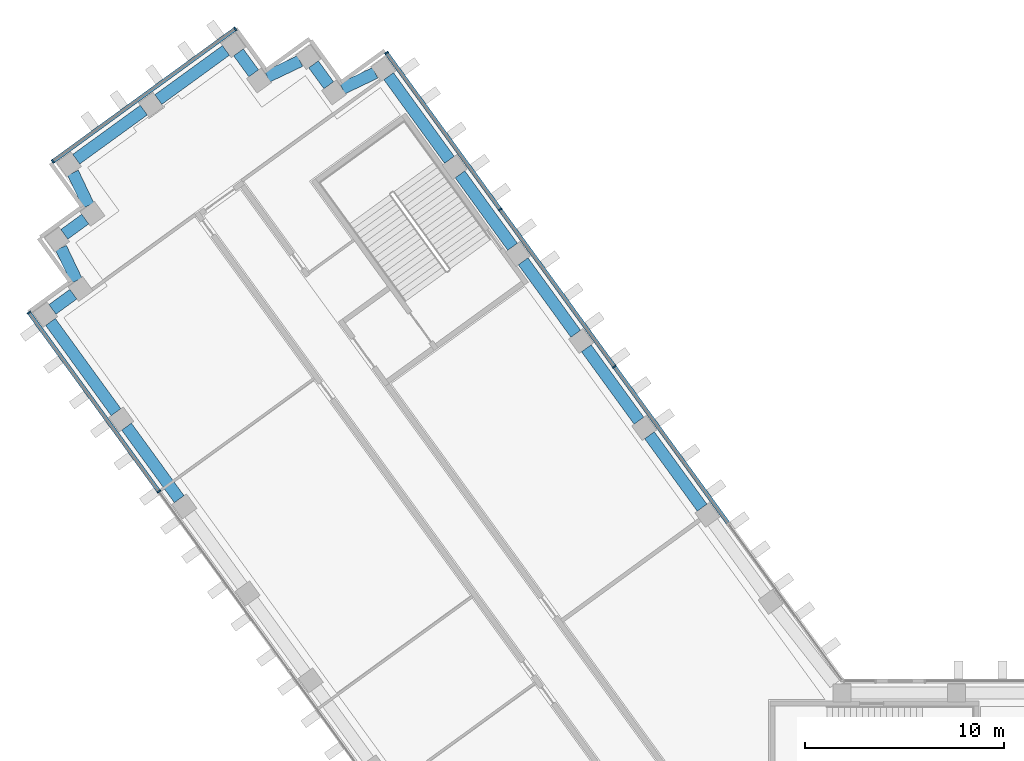
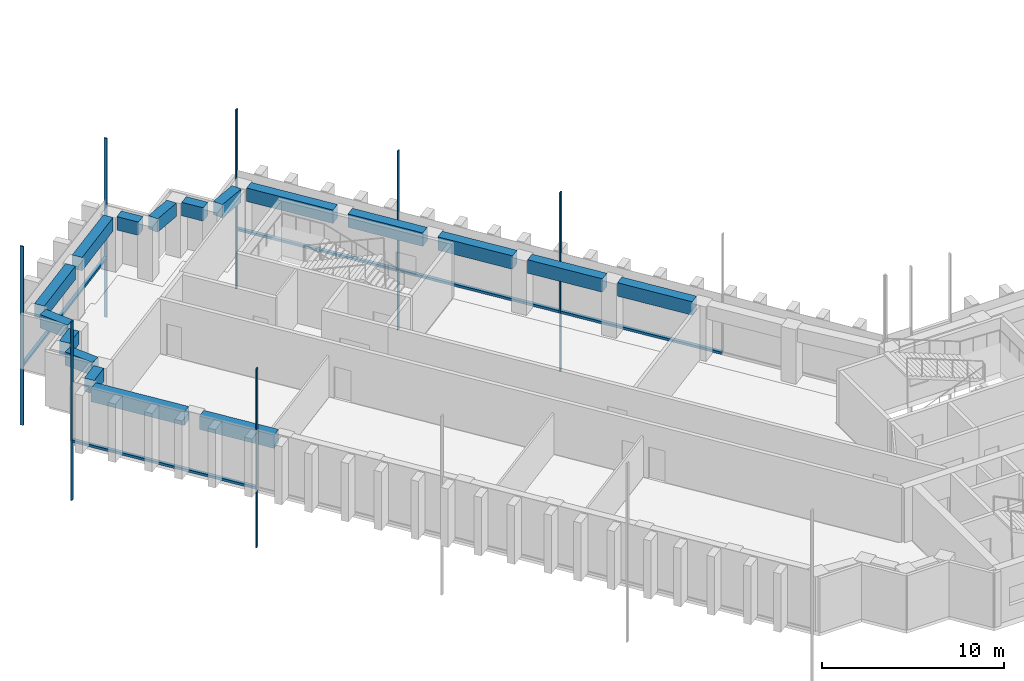
# One storey, part 4 of 17: 17 beams, 12 members, 3 elements without a shape of their own.
"""IFC4 building model written with IfcOpenShell, lengths in metres."""

from ifc_helpers import new_model, si_unit, direction, frame, origin, origin_2d, place, context, subcontext, project, spatial, rectangle, extrude, material, material_profile, profile_set, type_object, element, aggregate, save


model = new_model("IFC4")

# Units and contexts
model_context = context("Model", 3, precision=1e-05, world=origin(), true_north=direction((0.0, 1.0)))
body_context = subcontext(model_context, "Body", "Model", "MODEL_VIEW")
ifc_project = project(units=[si_unit("LENGTHUNIT", "METRE"), si_unit("AREAUNIT", "SQUARE_METRE"), si_unit("VOLUMEUNIT", "CUBIC_METRE"), si_unit("PLANEANGLEUNIT", "RADIAN"), si_unit("MASSUNIT", "GRAM", prefix="KILO")], contexts=[model_context])

# Site, building, storey
site_placement = place(None, origin())
site = spatial("IfcSite", under=ifc_project, at=site_placement, CompositionType="ELEMENT")
building_placement = place(site_placement, origin())
building = spatial("IfcBuilding", under=site, at=building_placement, Name="Quipu Civic Tower", CompositionType="ELEMENT")
storey_placement = place(building_placement, frame((0.0, 0.0, 101.0)))
storey = spatial("IfcBuildingStorey", under=building, at=storey_placement, Name="L23", CompositionType="ELEMENT", Elevation=101.0)

# Curtain wall, members
ifc_material_1 = material(Name="Insulated glass unit", Category="glass")
curtain_wall_type = type_object("IfcCurtainWallType", Name="Office curtain wall CW1", PredefinedType="NOTDEFINED", material=ifc_material_1)
curtain_wall_1_placement = place(storey_placement, origin())
curtain_wall_1 = element("IfcCurtainWall", 1, at=curtain_wall_1_placement, inside=storey, type_object=curtain_wall_type, Name="Office curtain wall CW1 L22 run 10", PredefinedType="NOTDEFINED")
ifc_material_2 = material(Name="Anodised aluminium", Category="aluminium")
ifc_material_profile_1 = material_profile(ifc_material_2, rectangle(XDim=0.199951171875, YDim=0.080078125, at=origin_2d()), Name="RECT 200x80")
ifc_profile_set_1 = profile_set([ifc_material_profile_1], Name="Anodised aluminium")
member_type_1 = type_object("IfcMemberType", Name="Mullion CW1", PredefinedType="MULLION", material=ifc_profile_set_1)
member_1_placement = place(storey_placement, frame((-25.819091796875, 26.893798828125, -3.919921875), z_axis=(0.0, 0.0, 1.0), x_axis=(-0.809016532822, -0.587785887566, 0.0)))
member_1 = element("IfcMember", 2, at=member_1_placement, type_object=member_type_1, Name="CW1 mullion 3", PredefinedType="MULLION", context=body_context, shape_type="SweptSolid", body=[
    extrude(rectangle(XDim=0.199951171875, YDim=0.080078125, at=origin_2d()), origin(), (0.0, 0.0, 1.0), 12.0),
])
member_2_placement = place(storey_placement, frame((-31.556396484375, 34.79052734375, -3.919921875), z_axis=(0.0, 0.0, 1.0), x_axis=(-0.809016532822, -0.587785887566, 0.0)))
member_2 = element("IfcMember", 3, at=member_2_placement, type_object=member_type_1, Name="CW1 mullion 4", PredefinedType="MULLION", context=body_context, shape_type="SweptSolid", body=[
    extrude(rectangle(XDim=0.199951171875, YDim=0.080078125, at=origin_2d()), origin(), (0.0, 0.0, 1.0), 12.0),
])
member_3_placement = place(storey_placement, frame((-37.2705078125, 42.655029296875, -3.919921875), z_axis=(0.0, 0.0, 1.0), x_axis=(-0.809016532822, -0.587785887566, 0.0)))
member_3 = element("IfcMember", 4, at=member_3_placement, type_object=member_type_1, Name="CW1 mullion 5", PredefinedType="MULLION", context=body_context, shape_type="SweptSolid", body=[
    extrude(rectangle(XDim=0.199951171875, YDim=0.080078125, at=origin_2d()), origin(), (0.0, 0.0, 1.0), 12.0),
])

curtain_wall_2_placement = place(storey_placement, origin())
curtain_wall_2 = element("IfcCurtainWall", 5, at=curtain_wall_2_placement, inside=storey, type_object=curtain_wall_type, Name="Office curtain wall CW1 L22 run 15", PredefinedType="NOTDEFINED")
member_4_placement = place(storey_placement, frame((-44.869140625, 43.858642578125, -3.919921875), z_axis=(0.0, 0.0, 1.0), x_axis=(0.587782012621, -0.809019348124, 0.0)))
member_4 = element("IfcMember", 6, at=member_4_placement, type_object=member_type_1, Name="CW1 mullion 1", PredefinedType="MULLION", context=body_context, shape_type="SweptSolid", body=[
    extrude(rectangle(XDim=0.199951171875, YDim=0.080078125, at=origin_2d()), origin(), (0.0, 0.0, 1.0), 12.0),
])
member_5_placement = place(storey_placement, frame((-54.027099609375, 37.204833984375, -3.919921875), z_axis=(0.0, 0.0, 1.0), x_axis=(0.587782012621, -0.809019348124, 0.0)))
member_5 = element("IfcMember", 7, at=member_5_placement, type_object=member_type_1, Name="CW1 mullion 2", PredefinedType="MULLION", context=body_context, shape_type="SweptSolid", body=[
    extrude(rectangle(XDim=0.199951171875, YDim=0.080078125, at=origin_2d()), origin(), (0.0, 0.0, 1.0), 12.0),
])

curtain_wall_3_placement = place(storey_placement, origin())
curtain_wall_3 = element("IfcCurtainWall", 8, at=curtain_wall_3_placement, inside=storey, type_object=curtain_wall_type, Name="Office curtain wall CW1 L22 run 20", PredefinedType="NOTDEFINED")
member_6_placement = place(storey_placement, frame((-55.23046875, 29.606201171875, -3.919921875), z_axis=(0.0, 0.0, 1.0), x_axis=(0.809016770908, 0.587785559869, 0.0)))
member_6 = element("IfcMember", 9, at=member_6_placement, type_object=member_type_1, Name="CW1 mullion 1", PredefinedType="MULLION", context=body_context, shape_type="SweptSolid", body=[
    extrude(rectangle(XDim=0.199951171875, YDim=0.080078125, at=origin_2d()), origin(), (0.0, 0.0, 1.0), 12.0),
])
member_7_placement = place(storey_placement, frame((-48.70458984375, 20.6240234375, -3.919921875), z_axis=(0.0, 0.0, 1.0), x_axis=(0.809016770908, 0.587785559869, 0.0)))
member_7 = element("IfcMember", 10, at=member_7_placement, type_object=member_type_1, Name="CW1 mullion 2", PredefinedType="MULLION", context=body_context, shape_type="SweptSolid", body=[
    extrude(rectangle(XDim=0.199951171875, YDim=0.080078125, at=origin_2d()), origin(), (0.0, 0.0, 1.0), 12.0),
])

# Beams
ifc_material_3 = material(Name="Concrete C50/60", Category="concrete")
ifc_material_profile_2 = material_profile(ifc_material_3, rectangle(XDim=0.60009765625, YDim=0.89990234375, at=origin_2d()), Name="RC600x900")
ifc_profile_set_2 = profile_set([ifc_material_profile_2], Name="Concrete C50/60")
beam_type = type_object("IfcBeamType", Name="Spandrel beam RC 600x900 C50/60", PredefinedType="SPANDREL", material=ifc_profile_set_2)
for number, where, z_axis, x_axis, name in (
    (11, (-21.411865234375, 19.807861328125, 3.199951171875), (-0.587778073121, 0.809022210299, 0.0), (-0.809022210299, -0.587778073121, 0.0), "Spandrel beam L23 W-IN-02 to W-IN-03"),
    (12, (-24.585693359375, 24.1767578125, 3.199951171875), (-0.587778073121, 0.809022210299, 0.0), (-0.809022210299, -0.587778073121, 0.0), "Spandrel beam L23 W-IN-03 to W-IN-04"),
    (13, (-27.759765625, 28.545654296875, 3.199951171875), (-0.587742561851, 0.809048009076, 0.0), (-0.809048009076, -0.587742561851, 0.0), "Spandrel beam L23 W-IN-04 to W-IN-05"),
    (14, (-30.93359375, 32.914306640625, 3.199951171875), (-0.587716763865, 0.809066749701, 0.0), (-0.809066749701, -0.587716763865, 0.0), "Spandrel beam L23 W-IN-05 to W-IN-06"),
):
    element("IfcBeam", number, at=place(storey_placement, frame(where, z_axis=z_axis, x_axis=x_axis)), inside=storey, type_object=beam_type, Name=name, PredefinedType="SPANDREL", context=body_context, shape_type="SweptSolid", body=[
        extrude(rectangle(XDim=0.60009765625, YDim=0.89990234375, at=origin_2d()), origin(), (0.0, 0.0, 1.0), 4.5),
    ])
beam_1_placement = place(storey_placement, frame((-34.107421875, 37.283203125, 3.199951171875), z_axis=(-0.587732861365, 0.80905505602, 0.0), x_axis=(-0.80905505602, -0.587732861365, 0.0)))
element("IfcBeam", 15, at=beam_1_placement, inside=storey, type_object=beam_type, Name="Spandrel beam L23 W-IN-06 to T-Wi.0-W50", PredefinedType="SPANDREL", context=body_context, shape_type="SweptSolid", body=[
    extrude(rectangle(XDim=0.60009765625, YDim=0.89990234375, at=origin_2d()), origin(), (0.0, 0.0, 1.0), 5.194580078125),
])
beam_2_placement = place(storey_placement, frame((-37.837890625, 41.65283203125, 3.199951171875), z_axis=(-0.90245397739, -0.430786279601, 0.0), x_axis=(0.430786279601, -0.90245397739, 0.0)))
element("IfcBeam", 16, at=beam_2_placement, inside=storey, type_object=beam_type, Name="Spandrel beam L23 T-Wi.0-W50 to T-Wi.1-W50", PredefinedType="SPANDREL", context=body_context, shape_type="SweptSolid", body=[
    extrude(rectangle(XDim=0.60009765625, YDim=0.89990234375, at=origin_2d()), origin(), (0.0, 0.0, 1.0), 1.83349609375),
])
beam_3_placement = place(storey_placement, frame((-40.170166015625, 41.02978515625, 3.199951171875), z_axis=(-0.588461937499, 0.808524921146, 0.0), x_axis=(-0.808524921146, -0.588461937499, 0.0)))
element("IfcBeam", 17, at=beam_3_placement, inside=storey, type_object=beam_type, Name="Spandrel beam L23 T-Wi.1-W50 to T-Wi.2-W50", PredefinedType="SPANDREL", context=body_context, shape_type="SweptSolid", body=[
    extrude(rectangle(XDim=0.60009765625, YDim=0.89990234375, at=origin_2d()), origin(), (0.0, 0.0, 1.0), 1.30029296875),
])
beam_4_placement = place(storey_placement, frame((-41.613037109375, 42.248046875, 3.199951171875), z_axis=(-0.902613270121, -0.430452418511, 0.0), x_axis=(0.430452418511, -0.902613270121, 0.0)))
element("IfcBeam", 18, at=beam_4_placement, inside=storey, type_object=beam_type, Name="Spandrel beam L23 T-Wi.2-W50 to T-Wi.3-W50", PredefinedType="SPANDREL", context=body_context, shape_type="SweptSolid", body=[
    extrude(rectangle(XDim=0.60009765625, YDim=0.89990234375, at=origin_2d()), origin(), (0.0, 0.0, 1.0), 1.826416015625),
])
beam_5_placement = place(storey_placement, frame((-43.939453125, 41.628662109375, 3.199951171875), z_axis=(-0.588383572423, 0.808581951136, 0.0), x_axis=(-0.808581951136, -0.588383572423, 0.0)))
element("IfcBeam", 19, at=beam_5_placement, inside=storey, type_object=beam_type, Name="Spandrel beam L23 T-Wi.3-W50 to T-Wi.4-W50", PredefinedType="SPANDREL", context=body_context, shape_type="SweptSolid", body=[
    extrude(rectangle(XDim=0.60009765625, YDim=0.89990234375, at=origin_2d()), origin(), (0.0, 0.0, 1.0), 1.3017578125),
])
beam_6_placement = place(storey_placement, frame((-45.333984375, 42.780517578125, 3.199951171875), z_axis=(-0.808969789945, -0.58785021813, 0.0), x_axis=(0.58785021813, -0.808969789945, 0.0)))
element("IfcBeam", 20, at=beam_6_placement, inside=storey, type_object=beam_type, Name="Spandrel beam L23 T-Wi.4-W50 to TIP-W-01-W50", PredefinedType="SPANDREL", context=body_context, shape_type="SweptSolid", body=[
    extrude(rectangle(XDim=0.60009765625, YDim=0.89990234375, at=origin_2d()), origin(), (0.0, 0.0, 1.0), 4.199951171875),
])
beam_7_placement = place(storey_placement, frame((-49.459716796875, 39.782470703125, 3.199951171875), z_axis=(-0.808959834407, -0.587863918196, 0.0), x_axis=(0.587863918196, -0.808959834407, 0.0)))
element("IfcBeam", 21, at=beam_7_placement, inside=storey, type_object=beam_type, Name="Spandrel beam L23 TIP-W-01-W50 to T-Wo.0-W50", PredefinedType="SPANDREL", context=body_context, shape_type="SweptSolid", body=[
    extrude(rectangle(XDim=0.60009765625, YDim=0.89990234375, at=origin_2d()), origin(), (0.0, 0.0, 1.0), 4.1982421875),
])
beam_8_placement = place(storey_placement, frame((-53.023193359375, 36.63671875, 3.199951171875), z_axis=(0.430166558323, -0.902749540072, 0.0), x_axis=(0.902749540072, 0.430166558323, 0.0)))
element("IfcBeam", 22, at=beam_8_placement, inside=storey, type_object=beam_type, Name="Spandrel beam L23 T-Wo.0-W50 to T-Wo.1-W50", PredefinedType="SPANDREL", context=body_context, shape_type="SweptSolid", body=[
    extrude(rectangle(XDim=0.60009765625, YDim=0.89990234375, at=origin_2d()), origin(), (0.0, 0.0, 1.0), 1.830322265625),
])
beam_9_placement = place(storey_placement, frame((-52.40283203125, 34.306396484375, 3.199951171875), z_axis=(-0.808509099783, -0.588483674853, 0.0), x_axis=(0.588483674853, -0.808509099783, 0.0)))
element("IfcBeam", 23, at=beam_9_placement, inside=storey, type_object=beam_type, Name="Spandrel beam L23 T-Wo.1-W50 to T-Wo.2-W50", PredefinedType="SPANDREL", context=body_context, shape_type="SweptSolid", body=[
    extrude(rectangle(XDim=0.60009765625, YDim=0.89990234375, at=origin_2d()), origin(), (0.0, 0.0, 1.0), 1.302734375),
])
beam_10_placement = place(storey_placement, frame((-53.62255859375, 32.8623046875, 3.199951171875), z_axis=(0.431446050156, -0.902138739776, 0.0), x_axis=(0.902138739776, 0.431446050156, 0.0)))
element("IfcBeam", 24, at=beam_10_placement, inside=storey, type_object=beam_type, Name="Spandrel beam L23 T-Wo.2-W50 to T-Wo.3-W50", PredefinedType="SPANDREL", context=body_context, shape_type="SweptSolid", body=[
    extrude(rectangle(XDim=0.60009765625, YDim=0.89990234375, at=origin_2d()), origin(), (0.0, 0.0, 1.0), 1.828857421875),
])
beam_11_placement = place(storey_placement, frame((-53.0, 30.53466796875, 3.199951171875), z_axis=(-0.808549242423, -0.588428519514, 0.0), x_axis=(0.588428519514, -0.808549242423, 0.0)))
element("IfcBeam", 25, at=beam_11_placement, inside=storey, type_object=beam_type, Name="Spandrel beam L23 T-Wo.3-W50 to T-Wo.4-W50", PredefinedType="SPANDREL", context=body_context, shape_type="SweptSolid", body=[
    extrude(rectangle(XDim=0.60009765625, YDim=0.89990234375, at=origin_2d()), origin(), (0.0, 0.0, 1.0), 1.2998046875),
])
beam_12_placement = place(storey_placement, frame((-54.150390625, 29.140869140625, 3.199951171875), z_axis=(0.587772657145, -0.809026145135, 0.0), x_axis=(0.809026145135, 0.587772657145, 0.0)))
element("IfcBeam", 26, at=beam_12_placement, inside=storey, type_object=beam_type, Name="Spandrel beam L23 T-Wo.4-W50 to W-OUT-07", PredefinedType="SPANDREL", context=body_context, shape_type="SweptSolid", body=[
    extrude(rectangle(XDim=0.60009765625, YDim=0.89990234375, at=origin_2d()), origin(), (0.0, 0.0, 1.0), 5.603271484375),
])
beam_13_placement = place(storey_placement, frame((-50.327880859375, 23.87939453125, 3.199951171875), z_axis=(0.587778073121, -0.809022210299, 0.0), x_axis=(0.809022210299, 0.587778073121, 0.0)))
element("IfcBeam", 27, at=beam_13_placement, inside=storey, type_object=beam_type, Name="Spandrel beam L23 W-OUT-07 to W-OUT-06", PredefinedType="SPANDREL", context=body_context, shape_type="SweptSolid", body=[
    extrude(rectangle(XDim=0.60009765625, YDim=0.89990234375, at=origin_2d()), origin(), (0.0, 0.0, 1.0), 4.5),
])

# Member
ifc_material_4 = material(Name="Anodised aluminium", Category="aluminium")
ifc_material_profile_3 = material_profile(ifc_material_4, rectangle(XDim=0.199951171875, YDim=0.159912109375, at=origin_2d()), Name="RECT 200x160")
ifc_profile_set_3 = profile_set([ifc_material_profile_3], Name="Anodised aluminium")
member_type_2 = type_object("IfcMemberType", Name="Transom CW1", PredefinedType="USERDEFINED", material=ifc_profile_set_3)
member_8_placement = place(storey_placement, frame((-20.105224609375, 19.029296875, 0.080078125), z_axis=(-0.587793764301, 0.80901080997, 0.0), x_axis=(-0.80901080997, -0.587793764301, 0.0)))
member_8 = element("IfcMember", 28, at=member_8_placement, type_object=member_type_2, Name="CW1 transom 2.2", ObjectType="TRANSOM", PredefinedType="USERDEFINED", context=body_context, shape_type="SweptSolid", body=[
    extrude(rectangle(XDim=0.199951171875, YDim=0.159912109375, at=origin_2d()), origin(), (0.0, 0.0, 1.0), 9.680908203125),
])

member_9_placement = place(storey_placement, frame((-25.842529296875, 26.926025390625, 0.080078125), z_axis=(-0.58778177227, 0.809019522748, 0.0), x_axis=(-0.809019522748, -0.58778177227, 0.0)))
member_9 = element("IfcMember", 29, at=member_9_placement, type_object=member_type_2, Name="CW1 transom 3.2", ObjectType="TRANSOM", PredefinedType="USERDEFINED", context=body_context, shape_type="SweptSolid", body=[
    extrude(rectangle(XDim=0.199951171875, YDim=0.159912109375, at=origin_2d()), origin(), (0.0, 0.0, 1.0), 9.68115234375),
])

member_10_placement = place(storey_placement, frame((-31.580078125, 34.822998046875, 0.080078125), z_axis=(-0.587775627857, 0.809023986849, 0.0), x_axis=(-0.809023986849, -0.587775627857, 0.0)))
member_10 = element("IfcMember", 30, at=member_10_placement, type_object=member_type_2, Name="CW1 transom 4.2", ObjectType="TRANSOM", PredefinedType="USERDEFINED", context=body_context, shape_type="SweptSolid", body=[
    extrude(rectangle(XDim=0.199951171875, YDim=0.159912109375, at=origin_2d()), origin(), (0.0, 0.0, 1.0), 9.64111328125),
])

aggregate(curtain_wall_1, [member_1, member_2, member_3, member_8, member_9, member_10])

member_11_placement = place(storey_placement, frame((-44.9013671875, 43.8349609375, 0.080078125), z_axis=(-0.809032792449, -0.587763507495, 0.0), x_axis=(0.587763507495, -0.809032792449, 0.0)))
member_11 = element("IfcMember", 31, at=member_11_placement, type_object=member_type_2, Name="CW1 transom 1.2", ObjectType="TRANSOM", PredefinedType="USERDEFINED", context=body_context, shape_type="SweptSolid", body=[
    extrude(rectangle(XDim=0.199951171875, YDim=0.159912109375, at=origin_2d()), origin(), (0.0, 0.0, 1.0), 11.239990234375),
])

aggregate(curtain_wall_2, [member_4, member_5, member_11])

member_12_placement = place(storey_placement, frame((-55.20703125, 29.573974609375, 0.080078125), z_axis=(0.587779179422, -0.809021406539, 0.0), x_axis=(0.809021406539, 0.587779179422, 0.0)))
member_12 = element("IfcMember", 32, at=member_12_placement, type_object=member_type_2, Name="CW1 transom 1.2", ObjectType="TRANSOM", PredefinedType="USERDEFINED", context=body_context, shape_type="SweptSolid", body=[
    extrude(rectangle(XDim=0.199951171875, YDim=0.159912109375, at=origin_2d()), origin(), (0.0, 0.0, 1.0), 11.02294921875),
])

aggregate(curtain_wall_3, [member_6, member_7, member_12])

save(model, "model.ifc")
